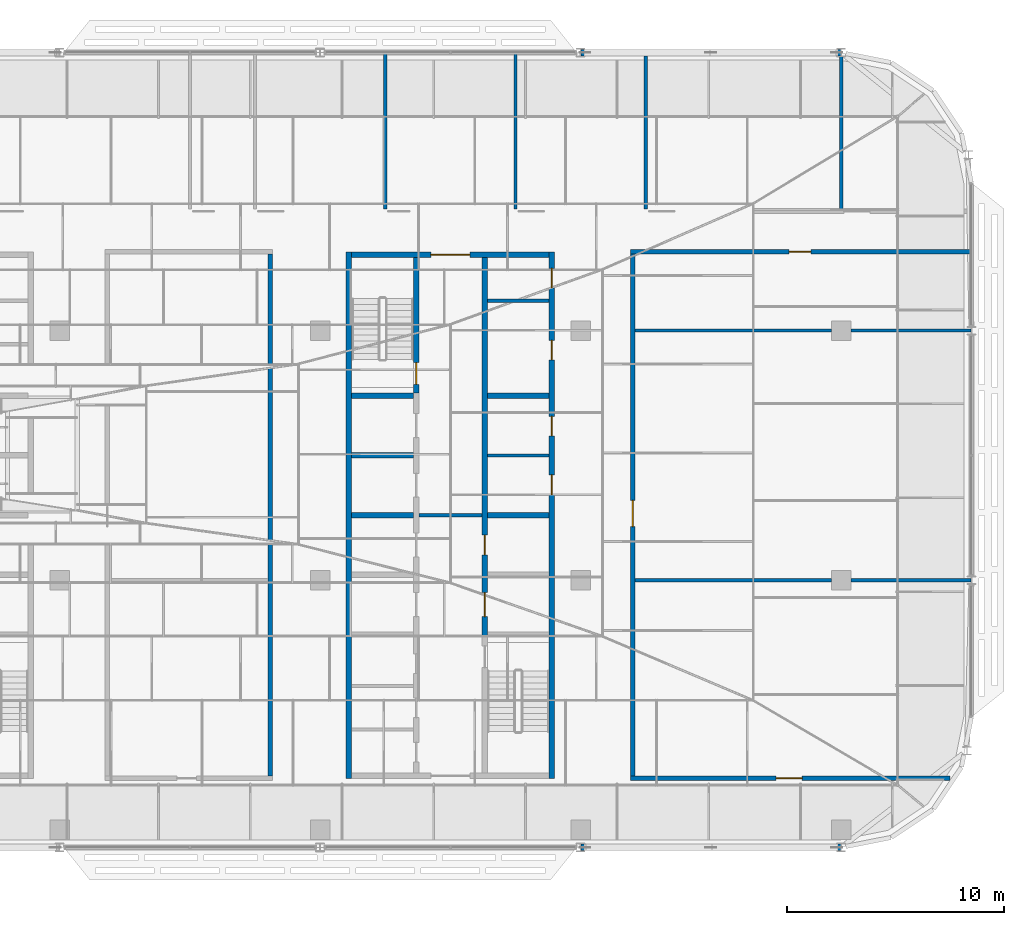
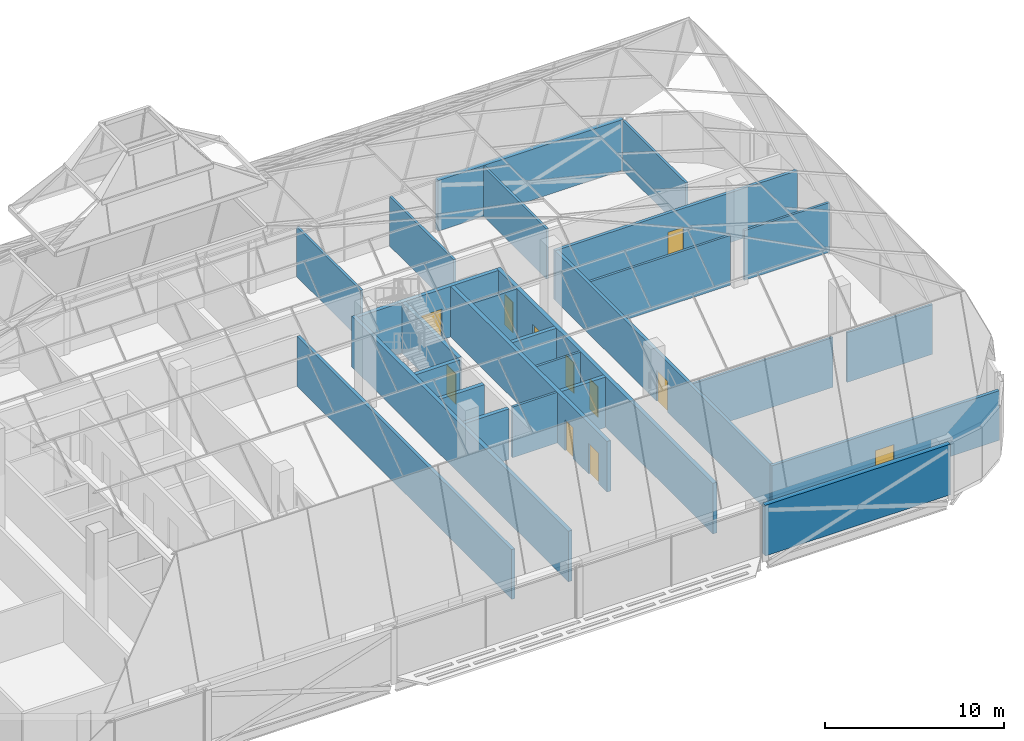
# One storey, part 28 of 39: 27 walls, 11 doors, 11 openings.
"""IFC4 building model written with IfcOpenShell, lengths in metres."""

from ifc_helpers import new_model, si_unit, direction, frame, frame_2d, origin, place, context, subcontext, project, spatial, rectangle, extrude, material, layer, layer_set, type_object, element, fill, save


model = new_model("IFC4")

# Units and contexts
model_context = context("Model", 3, precision=1e-05, world=origin(), true_north=direction((0.0, 1.0)))
body_context = subcontext(model_context, "Body", "Model", "MODEL_VIEW")
ifc_project = project(units=[si_unit("LENGTHUNIT", "METRE"), si_unit("AREAUNIT", "SQUARE_METRE"), si_unit("VOLUMEUNIT", "CUBIC_METRE"), si_unit("PLANEANGLEUNIT", "RADIAN"), si_unit("MASSUNIT", "GRAM", prefix="KILO")], contexts=[model_context])

# Site, building, storey
site_placement = place(None, origin())
site = spatial("IfcSite", under=ifc_project, at=site_placement, CompositionType="ELEMENT")
building_placement = place(site_placement, origin())
building = spatial("IfcBuilding", under=site, at=building_placement, Name="Mahtab Terrace Research Tower", CompositionType="ELEMENT")
storey_placement = place(building_placement, frame((0.0, 0.0, 282.300048828125)))
storey = spatial("IfcBuildingStorey", under=building, at=storey_placement, Name="L69", CompositionType="ELEMENT", Elevation=282.300048828125)

# Walls
ifc_material_1 = material(Name="Gypsum board partition")
ifc_layer_1 = layer(ifc_material_1, 0.14990234375)
ifc_layer_set_1 = layer_set([ifc_layer_1], Name="Core partition 150")
wall_type_1 = type_object("IfcWallType", Name="Core partition 150", PredefinedType="PARTITIONING", material=ifc_layer_set_1)
wall_1_placement = place(storey_placement, frame((22.550048828125, 3.0, 0.0), z_axis=(0.0, 0.0, 1.0), x_axis=(1.0, 0.0, 0.0)))
element("IfcWall", 1, at=wall_1_placement, inside=storey, type_object=wall_type_1, Name="Core wall C ffl", PredefinedType="PARTITIONING", context=body_context, shape_type="SweptSolid", body=[
    extrude(rectangle(XDim=2.89990234375, YDim=0.14990234375, at=frame_2d((1.449951171875, 0.0))), origin(), (0.0, 0.0, 1.0), 3.4599609375),
])
for number, where, z_axis, x_axis, name in (
    (2, (25.699951171875, 5.75, 0.0), (0.0, 0.0, 1.0), (1.0, 0.0, 0.0), "Core wall C pEL275"),
    (3, (25.699951171875, 12.875, 0.0), (0.0, 0.0, 1.0), (1.0, 0.0, 0.0), "Core wall C pEN988"),
):
    element("IfcWall", number, at=place(storey_placement, frame(where, z_axis=z_axis, x_axis=x_axis)), inside=storey, type_object=wall_type_1, Name=name, PredefinedType="PARTITIONING", context=body_context, shape_type="SweptSolid", body=[
        extrude(rectangle(XDim=2.85009765625, YDim=0.14990234375, at=frame_2d((1.425048828125, 0.0))), origin(), (0.0, 0.0, 1.0), 3.4599609375),
    ])
ifc_material_2 = material(Name="Concrete C70/85", Category="concrete")
ifc_layer_2 = layer(ifc_material_2, 0.25)
ifc_layer_set_2 = layer_set([ifc_layer_2], Name="Core wall 250")
wall_type_2 = type_object("IfcWallType", Name="Core wall 250", PredefinedType="SOLIDWALL", material=ifc_layer_set_2)
wall_2_placement = place(storey_placement, frame((19.324951171875, 15.125, 0.0), z_axis=(0.0, 0.0, 1.0), x_axis=(0.0, -1.0, 0.0)))
element("IfcWall", 4, at=wall_2_placement, inside=storey, type_object=wall_type_2, Name="Core wall C outerW", PredefinedType="SOLIDWALL", context=body_context, shape_type="SweptSolid", body=[
    extrude(rectangle(XDim=24.25, YDim=0.25, at=frame_2d((12.125, 0.0))), origin(), (0.0, 0.0, 1.0), 3.4599609375),
])

# Wall, openings, doors
wall_3_placement = place(storey_placement, frame((28.675048828125, -9.125, 0.0), z_axis=(0.0, 0.0, 1.0), x_axis=(0.0, 1.0, 0.0)))
wall_3 = element("IfcWall", 5, at=wall_3_placement, inside=storey, type_object=wall_type_2, Name="Core wall C outerE", PredefinedType="SOLIDWALL", context=body_context, shape_type="SweptSolid", body=[
    extrude(rectangle(XDim=24.25, YDim=0.25, at=frame_2d((12.125, 0.0))), origin(), (0.0, 0.0, 1.0), 3.4599609375),
])
opening_1_placement = place(wall_3_placement, frame((13.074951171875, 0.0, 0.0)))
opening_1 = element("IfcOpeningElement", 6, at=opening_1_placement, cuts=wall_3, Name="Opening C-R2", PredefinedType="OPENING", context=body_context, shape_type="SweptSolid", body=[
    extrude(rectangle(XDim=0.89990234375, YDim=2.10009765625, at=frame_2d((0.449951171875, 1.050048828125))), frame((0.0, 0.135009765625, 0.0), z_axis=(0.0, -1.0, 0.0), x_axis=(1.0, 0.0, 0.0)), (0.0, 0.0, 1.0), 0.27001953125),
])
opening_2_placement = place(wall_3_placement, frame((15.77490234375, 0.0, 0.0)))
opening_2 = element("IfcOpeningElement", 7, at=opening_2_placement, cuts=wall_3, Name="Opening C-R3", PredefinedType="OPENING", context=body_context, shape_type="SweptSolid", body=[
    extrude(rectangle(XDim=0.89990234375, YDim=2.10009765625, at=frame_2d((0.449951171875, 1.050048828125))), frame((0.0, 0.135009765625, 0.0), z_axis=(0.0, -1.0, 0.0), x_axis=(1.0, 0.0, 0.0)), (0.0, 0.0, 1.0), 0.27001953125),
])
opening_3_placement = place(wall_3_placement, frame((19.27490234375, 0.0, 0.0)))
opening_3 = element("IfcOpeningElement", 8, at=opening_3_placement, cuts=wall_3, Name="Opening C-R7", PredefinedType="OPENING", context=body_context, shape_type="SweptSolid", body=[
    extrude(rectangle(XDim=0.89990234375, YDim=2.10009765625, at=frame_2d((0.449951171875, 1.050048828125))), frame((0.0, 0.135009765625, 0.0), z_axis=(0.0, -1.0, 0.0), x_axis=(1.0, 0.0, 0.0)), (0.0, 0.0, 1.0), 0.27001953125),
])
opening_4_placement = place(wall_3_placement, frame((22.58740234375, 0.0, 0.0)))
opening_4 = element("IfcOpeningElement", 9, at=opening_4_placement, cuts=wall_3, Name="Opening C-R8", PredefinedType="OPENING", context=body_context, shape_type="SweptSolid", body=[
    extrude(rectangle(XDim=0.89990234375, YDim=2.10009765625, at=frame_2d((0.449951171875, 1.050048828125))), frame((0.0, 0.135009765625, 0.0), z_axis=(0.0, -1.0, 0.0), x_axis=(1.0, 0.0, 0.0)), (0.0, 0.0, 1.0), 0.27001953125),
])
ifc_material_3 = material(Name="Steel fire door", Category="steel")
door_type_1 = type_object("IfcDoorType", Name="Room door 900x2100 1 HR", OperationType="NOTDEFINED", PredefinedType="DOOR", material=ifc_material_3)
door_1_placement = place(opening_1_placement, origin())
door_1 = element("IfcDoor", 10, at=door_1_placement, inside=storey, type_object=door_type_1, Name="Document store door", OperationType="SINGLE_SWING_RIGHT", OverallHeight=2.10009765625, OverallWidth=0.89990234375, PredefinedType="DOOR", context=body_context, shape_type="SweptSolid", body=[
    extrude(rectangle(XDim=0.89990234375, YDim=2.10009765625, at=frame_2d((0.449951171875, 1.050048828125))), frame((0.0, 0.02490234375, 0.0), z_axis=(0.0, -1.0, 0.0), x_axis=(1.0, 0.0, 0.0)), (0.0, 0.0, 1.0), 0.050048828125),
])
fill(opening_1, door_1)
door_2_placement = place(opening_2_placement, origin())
door_2 = element("IfcDoor", 11, at=door_2_placement, inside=storey, type_object=door_type_1, Name="IT equipment room door", OperationType="SINGLE_SWING_LEFT", OverallHeight=2.10009765625, OverallWidth=0.89990234375, PredefinedType="DOOR", context=body_context, shape_type="SweptSolid", body=[
    extrude(rectangle(XDim=0.89990234375, YDim=2.10009765625, at=frame_2d((0.449951171875, 1.050048828125))), frame((0.0, 0.02490234375, 0.0), z_axis=(0.0, -1.0, 0.0), x_axis=(1.0, 0.0, 0.0)), (0.0, 0.0, 1.0), 0.050048828125),
])
fill(opening_2, door_2)
door_3_placement = place(opening_3_placement, origin())
door_3 = element("IfcDoor", 12, at=door_3_placement, inside=storey, type_object=door_type_1, Name="IT equipment room door", OperationType="SINGLE_SWING_LEFT", OverallHeight=2.10009765625, OverallWidth=0.89990234375, PredefinedType="DOOR", context=body_context, shape_type="SweptSolid", body=[
    extrude(rectangle(XDim=0.89990234375, YDim=2.10009765625, at=frame_2d((0.449951171875, 1.050048828125))), frame((0.0, 0.02490234375, 0.0), z_axis=(0.0, -1.0, 0.0), x_axis=(1.0, 0.0, 0.0)), (0.0, 0.0, 1.0), 0.050048828125),
])
fill(opening_3, door_3)
door_4_placement = place(opening_4_placement, origin())
door_4 = element("IfcDoor", 13, at=door_4_placement, inside=storey, type_object=door_type_1, Name="Electrical riser room door", OperationType="SINGLE_SWING_RIGHT", OverallHeight=2.10009765625, OverallWidth=0.89990234375, PredefinedType="DOOR", context=body_context, shape_type="SweptSolid", body=[
    extrude(rectangle(XDim=0.89990234375, YDim=2.10009765625, at=frame_2d((0.449951171875, 1.050048828125))), frame((0.0, 0.02490234375, 0.0), z_axis=(0.0, -1.0, 0.0), x_axis=(1.0, 0.0, 0.0)), (0.0, 0.0, 1.0), 0.050048828125),
])
fill(opening_4, door_4)

# Wall, opening, door
wall_4_placement = place(storey_placement, frame((19.449951171875, 15.0, 0.0), z_axis=(0.0, 0.0, 1.0), x_axis=(1.0, 0.0, 0.0)))
wall_4 = element("IfcWall", 14, at=wall_4_placement, inside=storey, type_object=wall_type_2, Name="Core wall C endN", PredefinedType="SOLIDWALL", context=body_context, shape_type="SweptSolid", body=[
    extrude(rectangle(XDim=9.10009765625, YDim=0.25, at=frame_2d((4.550048828125, 0.0))), origin(), (0.0, 0.0, 1.0), 3.4599609375),
])
opening_5_placement = place(wall_4_placement, frame((3.64990234375, 0.0, 0.0)))
opening_5 = element("IfcOpeningElement", 15, at=opening_5_placement, cuts=wall_4, Name="Opening C-N1", PredefinedType="OPENING", context=body_context, shape_type="SweptSolid", body=[
    extrude(rectangle(XDim=1.800048828125, YDim=2.10009765625, at=frame_2d((0.89990234375, 1.050048828125))), frame((0.0, 0.135009765625, 0.0), z_axis=(0.0, -1.0, 0.0), x_axis=(1.0, 0.0, 0.0)), (0.0, 0.0, 1.0), 0.27001953125),
])
door_type_2 = type_object("IfcDoorType", Name="Lobby double door 1800x2100 1 HR", OperationType="DOUBLE_DOOR_SINGLE_SWING", PredefinedType="DOOR", material=ifc_material_3)
door_5_placement = place(opening_5_placement, origin())
door_5 = element("IfcDoor", 16, at=door_5_placement, inside=storey, type_object=door_type_2, Name="Core entrance door C N", OperationType="DOUBLE_DOOR_SINGLE_SWING", OverallHeight=2.10009765625, OverallWidth=1.800048828125, PredefinedType="DOOR", context=body_context, shape_type="SweptSolid", body=[
    extrude(rectangle(XDim=1.800048828125, YDim=2.10009765625, at=frame_2d((0.89990234375, 1.050048828125))), frame((0.0, 0.02490234375, 0.0), z_axis=(0.0, -1.0, 0.0), x_axis=(1.0, 0.0, 0.0)), (0.0, 0.0, 1.0), 0.050048828125),
])
fill(opening_5, door_5)

wall_5_placement = place(storey_placement, frame((22.425048828125, 14.875, 0.0), z_axis=(0.0, 0.0, 1.0), x_axis=(0.0, -1.0, 0.0)))
wall_5 = element("IfcWall", 17, at=wall_5_placement, inside=storey, type_object=wall_type_2, Name="Core wall C innerWN", PredefinedType="SOLIDWALL", context=body_context, shape_type="SweptSolid", body=[
    extrude(rectangle(XDim=6.25, YDim=0.25, at=frame_2d((3.125, 0.0))), origin(), (0.0, 0.0, 1.0), 3.4599609375),
])
opening_6_placement = place(wall_5_placement, frame((4.85009765625, 0.0, 0.0)))
opening_6 = element("IfcOpeningElement", 18, at=opening_6_placement, cuts=wall_5, Name="Opening C-ST3", PredefinedType="OPENING", context=body_context, shape_type="SweptSolid", body=[
    extrude(rectangle(XDim=1.0, YDim=2.10009765625, at=frame_2d((0.5, 1.050048828125))), frame((0.0, 0.135009765625, 0.0), z_axis=(0.0, -1.0, 0.0), x_axis=(1.0, 0.0, 0.0)), (0.0, 0.0, 1.0), 0.27001953125),
])
door_type_3 = type_object("IfcDoorType", Name="Stair door 1000x2100 1.5 HR", OperationType="NOTDEFINED", PredefinedType="DOOR", material=ifc_material_3)
door_6_placement = place(opening_6_placement, origin())
door_6 = element("IfcDoor", 19, at=door_6_placement, inside=storey, type_object=door_type_3, Name="Stair door ST3 L69", OperationType="SINGLE_SWING_LEFT", OverallHeight=2.10009765625, OverallWidth=1.0, PredefinedType="DOOR", context=body_context, shape_type="SweptSolid", body=[
    extrude(rectangle(XDim=1.0, YDim=2.10009765625, at=frame_2d((0.5, 1.050048828125))), frame((0.0, 0.02490234375, 0.0), z_axis=(0.0, -1.0, 0.0), x_axis=(1.0, 0.0, 0.0)), (0.0, 0.0, 1.0), 0.050048828125),
])
fill(opening_6, door_6)

# Wall, openings, doors
wall_6_placement = place(storey_placement, frame((25.574951171875, 14.875, 0.0), z_axis=(0.0, 0.0, 1.0), x_axis=(0.0, -1.0, 0.0)))
wall_6 = element("IfcWall", 20, at=wall_6_placement, inside=storey, type_object=wall_type_2, Name="Core wall C innerELN", PredefinedType="SOLIDWALL", context=body_context, shape_type="SweptSolid", body=[
    extrude(rectangle(XDim=17.5, YDim=0.25, at=frame_2d((8.75, 0.0))), origin(), (0.0, 0.0, 1.0), 3.4599609375),
])
opening_7_placement = place(wall_6_placement, frame((15.449951171875, 0.0, 0.0)))
opening_7 = element("IfcOpeningElement", 21, at=opening_7_placement, cuts=wall_6, Name="Opening LD21-L69", PredefinedType="OPENING", context=body_context, shape_type="SweptSolid", body=[
    extrude(rectangle(XDim=1.10009765625, YDim=2.10009765625, at=frame_2d((0.550048828125, 1.050048828125))), frame((0.0, 0.135009765625, 0.0), z_axis=(0.0, -1.0, 0.0), x_axis=(1.0, 0.0, 0.0)), (0.0, 0.0, 1.0), 0.27001953125),
])
opening_8_placement = place(wall_6_placement, frame((12.800048828125, 0.0, 0.0)))
opening_8 = element("IfcOpeningElement", 22, at=opening_8_placement, cuts=wall_6, Name="Opening C-R1", PredefinedType="OPENING", context=body_context, shape_type="SweptSolid", body=[
    extrude(rectangle(XDim=0.89990234375, YDim=2.10009765625, at=frame_2d((0.449951171875, 1.050048828125))), frame((0.0, 0.135009765625, 0.0), z_axis=(0.0, -1.0, 0.0), x_axis=(1.0, 0.0, 0.0)), (0.0, 0.0, 1.0), 0.27001953125),
])
ifc_material_4 = material(Name="Stainless steel AISI 304", Category="steel")
door_type_4 = type_object("IfcDoorType", Name="Landing door 1100x2100", OperationType="DOUBLE_DOOR_SLIDING", PredefinedType="DOOR", material=ifc_material_4)
door_7_placement = place(opening_7_placement, origin())
door_7 = element("IfcDoor", 23, at=door_7_placement, inside=storey, type_object=door_type_4, Name="Landing door SV3 L69", OperationType="DOUBLE_DOOR_SLIDING", OverallHeight=2.10009765625, OverallWidth=1.10009765625, PredefinedType="DOOR", context=body_context, shape_type="SweptSolid", body=[
    extrude(rectangle(XDim=1.10009765625, YDim=2.10009765625, at=frame_2d((0.550048828125, 1.050048828125))), frame((0.0, 0.02490234375, 0.0), z_axis=(0.0, -1.0, 0.0), x_axis=(1.0, 0.0, 0.0)), (0.0, 0.0, 1.0), 0.050048828125),
])
fill(opening_7, door_7)
door_8_placement = place(opening_8_placement, origin())
door_8 = element("IfcDoor", 24, at=door_8_placement, inside=storey, type_object=door_type_1, Name="Plant room door", OperationType="SINGLE_SWING_LEFT", OverallHeight=2.10009765625, OverallWidth=0.89990234375, PredefinedType="DOOR", context=body_context, shape_type="SweptSolid", body=[
    extrude(rectangle(XDim=0.89990234375, YDim=2.10009765625, at=frame_2d((0.449951171875, 1.050048828125))), frame((0.0, 0.02490234375, 0.0), z_axis=(0.0, -1.0, 0.0), x_axis=(1.0, 0.0, 0.0)), (0.0, 0.0, 1.0), 0.050048828125),
])
fill(opening_8, door_8)

# Walls
for number, where, z_axis, x_axis, name in (
    (25, (19.449951171875, 3.0, 0.0), (0.0, 0.0, 1.0), (1.0, 0.0, 0.0), "Core wall C divW2"),
    (26, (19.449951171875, 5.75, 0.0), (0.0, 0.0, 1.0), (1.0, 0.0, 0.0), "Core wall C divW3"),
    (27, (19.449951171875, 8.5, 0.0), (0.0, 0.0, 1.0), (1.0, 0.0, 0.0), "Core wall C divW4"),
    (28, (25.699951171875, 3.0, 0.0), (0.0, 0.0, 1.0), (1.0, 0.0, 0.0), "Core wall C divE2"),
    (29, (25.699951171875, 8.5, 0.0), (0.0, 0.0, 1.0), (1.0, 0.0, 0.0), "Core wall C divE4"),
):
    element("IfcWall", number, at=place(storey_placement, frame(where, z_axis=z_axis, x_axis=x_axis)), inside=storey, type_object=wall_type_2, Name=name, PredefinedType="SOLIDWALL", context=body_context, shape_type="SweptSolid", body=[
        extrude(rectangle(XDim=2.85009765625, YDim=0.25, at=frame_2d((1.425048828125, 0.0))), origin(), (0.0, 0.0, 1.0), 3.4599609375),
    ])
ifc_material_5 = material(Name="Black aluminium cladding panel", Category="aluminium")
ifc_layer_3 = layer(ifc_material_5, 0.300048828125)
ifc_layer_set_3 = layer_set([ifc_layer_3], Name="Opaque facade wall 300")
wall_type_3 = type_object("IfcWallType", Name="Opaque facade wall 300", PredefinedType="NOTDEFINED", material=ifc_layer_set_3)
for number, where, z_axis, x_axis, name in (
    (30, (41.991455078125, 24.306884765625, 0.0), (0.0, 0.0, 1.0), (-1.0, 0.0, 0.0), "Opaque facade wall L69 N3"),
    (31, (30.008544921875, -12.306884765625, 0.0), (0.0, 0.0, 1.0), (1.0, 0.0, 0.0), "Opaque facade wall L69 S29"),
):
    element("IfcWall", number, at=place(storey_placement, frame(where, z_axis=z_axis, x_axis=x_axis)), inside=storey, type_object=wall_type_3, Name=name, PredefinedType="NOTDEFINED", context=body_context, shape_type="SweptSolid", body=[
        extrude(rectangle(XDim=11.98291015625, YDim=0.300048828125, at=frame_2d((5.991455078125, 0.0))), origin(), (0.0, 0.0, 1.0), 3.4599609375),
    ])

# Wall, opening, door
ifc_material_6 = material(Name="Gypsum board corridor wall on steel studs", Category="steel")
ifc_layer_4 = layer(ifc_material_6, 0.199951171875)
ifc_layer_set_4 = layer_set([ifc_layer_4], Name="WALL CORRIDOR 200")
wall_type_4 = type_object("IfcWallType", Name="WALL CORRIDOR 200", PredefinedType="PARTITIONING", material=ifc_layer_set_4)
wall_7_placement = place(storey_placement, frame((32.300048828125, -9.125, 0.0), z_axis=(0.0, 0.0, 1.0), x_axis=(1.0, 0.0, 0.0)))
wall_7 = element("IfcWall", 32, at=wall_7_placement, inside=storey, type_object=wall_type_4, Name="L69-W004", PredefinedType="PARTITIONING", context=body_context, shape_type="SweptSolid", body=[
    extrude(rectangle(XDim=14.714111328125, YDim=0.199951171875, at=frame_2d((7.35693359375, 0.0))), origin(), (0.0, 0.0, 1.0), 3.39990234375),
])
opening_9_placement = place(wall_7_placement, frame((6.699951171875, 0.0, 0.0)))
opening_9 = element("IfcOpeningElement", 33, at=opening_9_placement, cuts=wall_7, Name="Opening L69-104", PredefinedType="OPENING", context=body_context, shape_type="SweptSolid", body=[
    extrude(rectangle(XDim=1.199951171875, YDim=2.10009765625, at=frame_2d((0.60009765625, 1.050048828125))), frame((0.0, 0.10986328125, 0.0), z_axis=(0.0, -1.0, 0.0), x_axis=(1.0, 0.0, 0.0)), (0.0, 0.0, 1.0), 0.219970703125),
])
ifc_material_7 = material(Name="Timber door leaf in steel frame", Category="steel")
door_type_5 = type_object("IfcDoorType", Name="DOOR 1200X2100 FD30S", OperationType="SINGLE_SWING_LEFT", PredefinedType="DOOR", material=ifc_material_7)
door_9_placement = place(opening_9_placement, origin())
door_9 = element("IfcDoor", 34, at=door_9_placement, inside=storey, type_object=door_type_5, Name="Door L69-104", OperationType="SINGLE_SWING_LEFT", OverallHeight=2.10009765625, OverallWidth=1.199951171875, PredefinedType="DOOR", context=body_context, shape_type="SweptSolid", body=[
    extrude(rectangle(XDim=1.199951171875, YDim=2.10009765625, at=frame_2d((0.60009765625, 1.050048828125))), frame((0.0, 0.02490234375, 0.0), z_axis=(0.0, -1.0, 0.0), x_axis=(1.0, 0.0, 0.0)), (0.0, 0.0, 1.0), 0.050048828125),
])
fill(opening_9, door_9)

wall_8_placement = place(storey_placement, frame((32.300048828125, 15.125, 0.0), z_axis=(0.0, 0.0, 1.0), x_axis=(1.0, 0.0, 0.0)))
wall_8 = element("IfcWall", 35, at=wall_8_placement, inside=storey, type_object=wall_type_4, Name="L69-W017", PredefinedType="PARTITIONING", context=body_context, shape_type="SweptSolid", body=[
    extrude(rectangle(XDim=15.675048828125, YDim=0.199951171875, at=frame_2d((7.83740234375, 0.0))), origin(), (0.0, 0.0, 1.0), 3.39990234375),
])
opening_10_placement = place(wall_8_placement, frame((7.300048828125, 0.0, 0.0)))
opening_10 = element("IfcOpeningElement", 36, at=opening_10_placement, cuts=wall_8, Name="Opening L69-110", PredefinedType="OPENING", context=body_context, shape_type="SweptSolid", body=[
    extrude(rectangle(XDim=1.0, YDim=2.10009765625, at=frame_2d((0.5, 1.050048828125))), frame((0.0, 0.10986328125, 0.0), z_axis=(0.0, -1.0, 0.0), x_axis=(1.0, 0.0, 0.0)), (0.0, 0.0, 1.0), 0.219970703125),
])
door_type_6 = type_object("IfcDoorType", Name="DOOR 1000X2100 FD30S", OperationType="SINGLE_SWING_LEFT", PredefinedType="DOOR", material=ifc_material_7)
door_10_placement = place(opening_10_placement, origin())
door_10 = element("IfcDoor", 37, at=door_10_placement, inside=storey, type_object=door_type_6, Name="Door L69-110", OperationType="SINGLE_SWING_LEFT", OverallHeight=2.10009765625, OverallWidth=1.0, PredefinedType="DOOR", context=body_context, shape_type="SweptSolid", body=[
    extrude(rectangle(XDim=1.0, YDim=2.10009765625, at=frame_2d((0.5, 1.050048828125))), frame((0.0, 0.02490234375, 0.0), z_axis=(0.0, -1.0, 0.0), x_axis=(1.0, 0.0, 0.0)), (0.0, 0.0, 1.0), 0.050048828125),
])
fill(opening_10, door_10)

# Wall
wall_9_placement = place(storey_placement, frame((15.699951171875, -9.02490234375, 0.0), z_axis=(0.0, 0.0, 1.0), x_axis=(0.0, 1.0, 0.0)))
element("IfcWall", 38, at=wall_9_placement, inside=storey, type_object=wall_type_4, Name="L69-W033", PredefinedType="PARTITIONING", context=body_context, shape_type="SweptSolid", body=[
    extrude(rectangle(XDim=24.0498046875, YDim=0.199951171875, at=frame_2d((12.02490234375, 0.0))), origin(), (0.0, 0.0, 1.0), 3.39990234375),
])

# Wall, opening, door
wall_10_placement = place(storey_placement, frame((32.39990234375, -9.02490234375, 0.0), z_axis=(0.0, 0.0, 1.0), x_axis=(0.0, 1.0, 0.0)))
wall_10 = element("IfcWall", 39, at=wall_10_placement, inside=storey, type_object=wall_type_4, Name="L69-W036", PredefinedType="PARTITIONING", context=body_context, shape_type="SweptSolid", body=[
    extrude(rectangle(XDim=24.0498046875, YDim=0.199951171875, at=frame_2d((12.02490234375, 0.0))), origin(), (0.0, 0.0, 1.0), 3.39990234375),
])
opening_11_placement = place(wall_10_placement, frame((11.5, 0.0, 0.0)))
opening_11 = element("IfcOpeningElement", 40, at=opening_11_placement, cuts=wall_10, Name="Opening L69-106", PredefinedType="OPENING", context=body_context, shape_type="SweptSolid", body=[
    extrude(rectangle(XDim=1.199951171875, YDim=2.10009765625, at=frame_2d((0.60009765625, 1.050048828125))), frame((0.0, 0.10986328125, 0.0), z_axis=(0.0, -1.0, 0.0), x_axis=(1.0, 0.0, 0.0)), (0.0, 0.0, 1.0), 0.219970703125),
])
door_11_placement = place(opening_11_placement, origin())
door_11 = element("IfcDoor", 41, at=door_11_placement, inside=storey, type_object=door_type_5, Name="Door L69-106", OperationType="SINGLE_SWING_LEFT", OverallHeight=2.10009765625, OverallWidth=1.199951171875, PredefinedType="DOOR", context=body_context, shape_type="SweptSolid", body=[
    extrude(rectangle(XDim=1.199951171875, YDim=2.10009765625, at=frame_2d((0.60009765625, 1.050048828125))), frame((0.0, 0.02490234375, 0.0), z_axis=(0.0, -1.0, 0.0), x_axis=(1.0, 0.0, 0.0)), (0.0, 0.0, 1.0), 0.050048828125),
])
fill(opening_11, door_11)

# Walls
ifc_material_8 = material(Name="Gypsum board partition on steel studs", Category="steel")
ifc_layer_5 = layer(ifc_material_8, 0.14990234375)
ifc_layer_set_5 = layer_set([ifc_layer_5], Name="WALL PARTITION 150")
wall_type_5 = type_object("IfcWallType", Name="WALL PARTITION 150", PredefinedType="PARTITIONING", material=ifc_layer_set_5)
wall_11_placement = place(storey_placement, frame((32.5, 0.0, 0.0), z_axis=(0.0, 0.0, 1.0), x_axis=(1.0, 0.0, 0.0)))
element("IfcWall", 42, at=wall_11_placement, inside=storey, type_object=wall_type_5, Name="L69-W009", PredefinedType="PARTITIONING", context=body_context, shape_type="SweptSolid", body=[
    extrude(rectangle(XDim=9.050048828125, YDim=0.14990234375, at=frame_2d((4.52490234375, 0.0))), origin(), (0.0, 0.0, 1.0), 3.39990234375),
])
wall_12_placement = place(storey_placement, frame((42.449951171875, 0.0, 0.0), z_axis=(0.0, 0.0, 1.0), x_axis=(1.0, 0.0, 0.0)))
element("IfcWall", 43, at=wall_12_placement, inside=storey, type_object=wall_type_5, Name="L69-W010", PredefinedType="PARTITIONING", context=body_context, shape_type="SweptSolid", body=[
    extrude(rectangle(XDim=5.525146484375, YDim=0.14990234375, at=frame_2d((2.7626953125, 0.0))), origin(), (0.0, 0.0, 1.0), 3.39990234375),
])
wall_13_placement = place(storey_placement, frame((32.5, 11.5, 0.0), z_axis=(0.0, 0.0, 1.0), x_axis=(1.0, 0.0, 0.0)))
element("IfcWall", 44, at=wall_13_placement, inside=storey, type_object=wall_type_5, Name="L69-W012", PredefinedType="PARTITIONING", context=body_context, shape_type="SweptSolid", body=[
    extrude(rectangle(XDim=9.050048828125, YDim=0.14990234375, at=frame_2d((4.52490234375, 0.0))), origin(), (0.0, 0.0, 1.0), 3.39990234375),
])
wall_14_placement = place(storey_placement, frame((42.449951171875, 11.5, 0.0), z_axis=(0.0, 0.0, 1.0), x_axis=(1.0, 0.0, 0.0)))
element("IfcWall", 45, at=wall_14_placement, inside=storey, type_object=wall_type_5, Name="L69-W013", PredefinedType="PARTITIONING", context=body_context, shape_type="SweptSolid", body=[
    extrude(rectangle(XDim=5.525146484375, YDim=0.14990234375, at=frame_2d((2.7626953125, 0.0))), origin(), (0.0, 0.0, 1.0), 3.39990234375),
])
for number, where, z_axis, x_axis, name in (
    (46, (21.0, 17.10009765625, 0.0), (0.0, 0.0, 1.0), (0.0, 1.0, 0.0), "L69-W034"),
    (47, (27.0, 17.10009765625, 0.0), (0.0, 0.0, 1.0), (0.0, 1.0, 0.0), "L69-W035"),
):
    element("IfcWall", number, at=place(storey_placement, frame(where, z_axis=z_axis, x_axis=x_axis)), inside=storey, type_object=wall_type_5, Name=name, PredefinedType="PARTITIONING", context=body_context, shape_type="SweptSolid", body=[
        extrude(rectangle(XDim=7.181884765625, YDim=0.14990234375, at=frame_2d((3.5908203125, 0.0))), origin(), (0.0, 0.0, 1.0), 3.39990234375),
    ])
wall_15_placement = place(storey_placement, frame((33.0, 17.10009765625, 0.0), z_axis=(0.0, 0.0, 1.0), x_axis=(0.0, 1.0, 0.0)))
element("IfcWall", 48, at=wall_15_placement, inside=storey, type_object=wall_type_5, Name="L69-W037", PredefinedType="PARTITIONING", context=body_context, shape_type="SweptSolid", body=[
    extrude(rectangle(XDim=7.056884765625, YDim=0.14990234375, at=frame_2d((3.5283203125, 0.0))), origin(), (0.0, 0.0, 1.0), 3.39990234375),
])
wall_16_placement = place(storey_placement, frame((42.0, 17.10009765625, 0.0), z_axis=(0.0, 0.0, 1.0), x_axis=(0.0, 1.0, 0.0)))
element("IfcWall", 49, at=wall_16_placement, inside=storey, type_object=wall_type_5, Name="L69-W038", PredefinedType="PARTITIONING", context=body_context, shape_type="SweptSolid", body=[
    extrude(rectangle(XDim=7.053955078125, YDim=0.14990234375, at=frame_2d((3.52685546875, 0.0))), origin(), (0.0, 0.0, 1.0), 3.39990234375),
])

save(model, "model.ifc")
